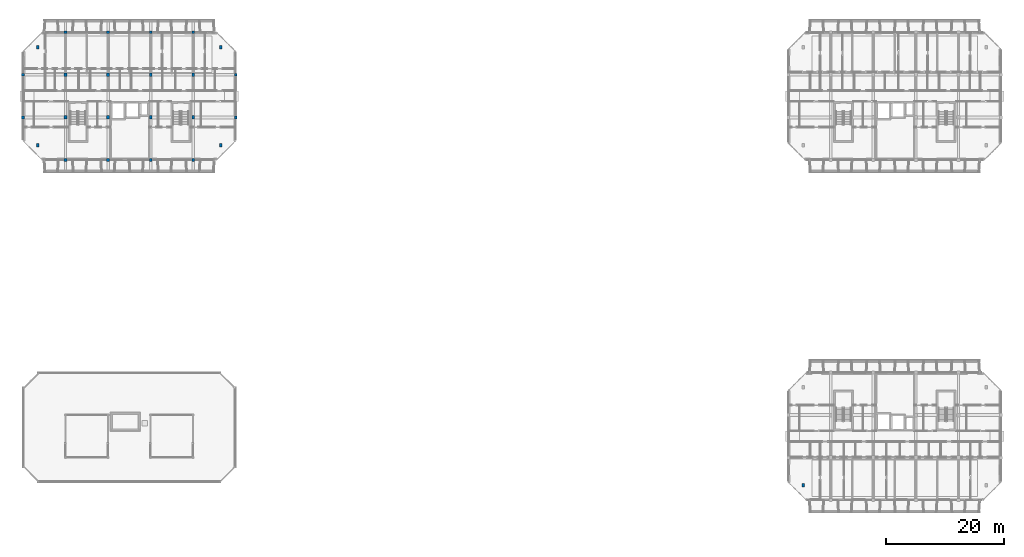
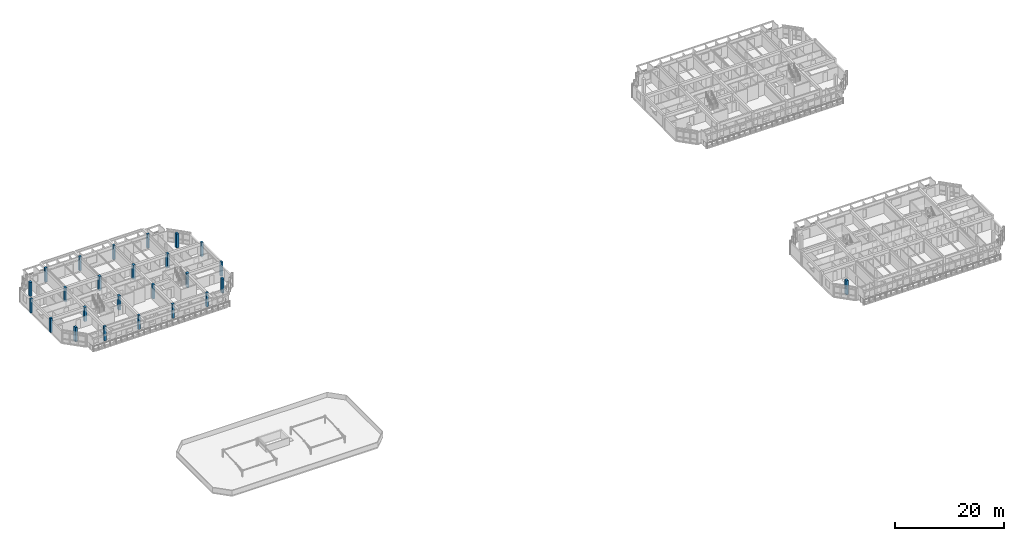
# One storey, part 5 of 43: 25 columns.
"""IFC4 building model written with IfcOpenShell, lengths in metres."""

import ifcopenshell
import ifcopenshell.guid

model = None  # the IFC model being written
_history = None  # IfcOwnerHistory: only IFC2X3 demands one
_inside = {}  # id of a spatial element -> (the spatial element, [elements in it])
_under = {}  # id of a project, library or spatial element -> (it, [spatial elements below it])
_declared = {}  # id of a project -> (the project, [libraries it declares])
_typed = {}  # id of a type object -> (the type object, [elements of that type])
_made_of = {}  # id of a material, layer set ... -> (it, [elements and type objects made of it])


def new_model(schema):
    """Start an empty IFC model of exactly this schema.

    Asked for "IFC4X3", IfcOpenShell would pick the latest addendum, in which some entities
    have other attributes; the version numbers below select the first issue.
    IFC2X3 requires an IfcOwnerHistory on every rooted entity: one is made here for all.
    """
    global model, _history
    if schema == "IFC4X3":
        model = ifcopenshell.file(schema_version=(4, 3, 0, 0))
    else:
        model = ifcopenshell.file(schema=schema)
    _inside.clear()
    _under.clear()
    _declared.clear()
    _typed.clear()
    _made_of.clear()
    _history = None
    if model.schema == "IFC2X3":
        org = make("IfcOrganization", Name="unknown")
        user = make(
            "IfcPersonAndOrganization",
            ThePerson=make("IfcPerson", FamilyName="unknown"),
            TheOrganization=org,
        )
        app = make(
            "IfcApplication",
            ApplicationDeveloper=org,
            Version="unknown",
            ApplicationFullName="unknown",
            ApplicationIdentifier="unknown",
        )
        _history = make(
            "IfcOwnerHistory",
            OwningUser=user,
            OwningApplication=app,
            ChangeAction="ADDED",
            CreationDate=0,
        )
    return model


def make(cls, **values):
    """One entity of the class cls with the attributes given. An attribute that is None is left unset."""
    return model.create_entity(
        cls, **{name: value for name, value in values.items() if value is not None}
    )


def rooted(cls, **values):
    """An entity with a GlobalId (a new one), such as an element, a storey or a relation."""
    return make(cls, GlobalId=ifcopenshell.guid.new(), OwnerHistory=_history, **values)


def si_unit(unit_type, name, prefix=None):
    """IfcSIUnit, for example si_unit("LENGTHUNIT", "METRE", prefix="MILLI")."""
    return make("IfcSIUnit", UnitType=unit_type, Prefix=prefix, Name=name)


def assignment(units):
    """IfcUnitAssignment: the units of a project."""
    return None if units is None else make("IfcUnitAssignment", Units=units)


def point(xyz):
    """IfcCartesianPoint."""
    return None if xyz is None else make("IfcCartesianPoint", Coordinates=xyz)


def direction(xyz):
    """IfcDirection."""
    return None if xyz is None else make("IfcDirection", DirectionRatios=xyz)


def frame(location, z_axis=None, x_axis=None):
    """IfcAxis2Placement3D, a coordinate frame: its origin and axes. An axis left out is left unset."""
    return make(
        "IfcAxis2Placement3D",
        Location=point(location),
        Axis=direction(z_axis),
        RefDirection=direction(x_axis),
    )


def frame_2d(location, x_axis=None):
    """IfcAxis2Placement2D, a coordinate frame in the plane: its origin and x axis."""
    return make(
        "IfcAxis2Placement2D", Location=point(location), RefDirection=direction(x_axis)
    )


def origin():
    """The frame at (0, 0, 0) with its axes left unset."""
    return frame((0.0, 0.0, 0.0))


def origin_2d():
    """The frame at (0, 0) in the plane with its x axis left unset."""
    return frame_2d((0.0, 0.0))


def place(relative_to, where):
    """IfcLocalPlacement: puts the frame where relative to a parent placement (None: the world)."""
    return make(
        "IfcLocalPlacement", PlacementRelTo=relative_to, RelativePlacement=where
    )


def context(
    kind, dimensions, precision=None, world=None, true_north=None, identifier=None
):
    """IfcGeometricRepresentationContext, for example the 3D "Model" context."""
    return make(
        "IfcGeometricRepresentationContext",
        ContextIdentifier=identifier,
        ContextType=kind,
        CoordinateSpaceDimension=dimensions,
        Precision=precision,
        WorldCoordinateSystem=world,
        TrueNorth=true_north,
    )


def subcontext(parent, identifier, kind, view, scale=None):
    """IfcGeometricRepresentationSubContext, for example "Body" below "Model"."""
    return make(
        "IfcGeometricRepresentationSubContext",
        ContextIdentifier=identifier,
        ContextType=kind,
        ParentContext=parent,
        TargetScale=scale,
        TargetView=view,
    )


def project(units=None, contexts=None):
    """IfcProject with its units and contexts."""
    return rooted(
        "IfcProject",
        Name="project",
        RepresentationContexts=contexts,
        UnitsInContext=assignment(units),
    )


def spatial(cls, under=None, at=None, **own):
    """A site, building, storey or space (cls), placed at a placement, below another one or the project."""
    s = rooted(cls, ObjectPlacement=at, **own)
    if under is not None:
        _under.setdefault(under.id(), (under, []))[1].append(s)
    return s


def profile(cls, at=None, kind="AREA", **sizes):
    """A parametric profile (cls). Its sizes go by their IFC names, for example OverallWidth=200.0."""
    return make(cls, ProfileType=kind, Position=at, **sizes)


def rectangle(**sizes):
    """IfcRectangleProfileDef."""
    return profile("IfcRectangleProfileDef", **sizes)


def extrude(swept, where, along, depth):
    """IfcExtrudedAreaSolid: the profile swept, set in the frame where, extruded along a direction by depth."""
    return make(
        "IfcExtrudedAreaSolid",
        SweptArea=swept,
        Position=where,
        ExtrudedDirection=direction(along),
        Depth=depth,
    )


def shape(context_of_items, identifier, shape_type, items):
    """IfcShapeRepresentation: the items that make up one representation, for example the "Body"."""
    return make(
        "IfcShapeRepresentation",
        ContextOfItems=context_of_items,
        RepresentationIdentifier=identifier,
        RepresentationType=shape_type,
        Items=items,
    )


def material(Name=None, Category=None):
    """IfcMaterial."""
    return make("IfcMaterial", Name=Name, Category=Category)


def material_profile(
    of_material, cross_section, Name=None, Category=None, Priority=None
):
    """IfcMaterialProfile: a cross section and its material."""
    return make(
        "IfcMaterialProfile",
        Name=Name,
        Material=of_material,
        Profile=cross_section,
        Priority=Priority,
        Category=Category,
    )


def profile_set(profiles, Name=None, composite=None):
    """IfcMaterialProfileSet."""
    return make(
        "IfcMaterialProfileSet",
        Name=Name,
        MaterialProfiles=profiles,
        CompositeProfile=composite,
    )


def made_of(thing, what):
    """Note that an element or type object is made of a material, layer set ...; save() writes the relation."""
    if what is not None:
        _made_of.setdefault(what.id(), (what, []))[1].append(thing)
    return thing


def type_object(cls, material=None, **own):
    """A type object (cls), such as IfcWallType, which elements share."""
    return made_of(rooted(cls, **own), material)


def element(
    cls,
    number,
    at=None,
    inside=None,
    cuts=None,
    type_object=None,
    material=None,
    context=None,
    identifier="Body",
    shape_type=None,
    held_by="IfcProductDefinitionShape",
    body=None,
    shapes=None,
    **own,
):
    """One element of the class cls, such as IfcWall. Its Tag is "e" and its number.

    at: its placement. inside: the storey or other place that contains it. cuts: it is an
    opening in that element (IfcRelVoidsElement). A single representation is given by context,
    identifier, shape_type and body (its items); several are given by shapes. held_by: the class
    of the entity that holds the representations. save() writes the other relations.
    """
    e = rooted(cls, Tag="e%d" % number, ObjectPlacement=at, **own)
    if body is not None:
        shapes = [shape(context, identifier, shape_type, body)]
    if shapes is not None:
        e.Representation = make(held_by, Representations=shapes)
    if inside is not None:
        _inside.setdefault(inside.id(), (inside, []))[1].append(e)
    if cuts is not None:
        rooted(
            "IfcRelVoidsElement", RelatingBuildingElement=cuts, RelatedOpeningElement=e
        )
    if type_object is not None:
        _typed.setdefault(type_object.id(), (type_object, []))[1].append(e)
    return made_of(e, material)


def aggregate(whole, parts):
    """IfcRelAggregates: a whole, such as a stair, and the parts it consists of."""
    return rooted("IfcRelAggregates", RelatingObject=whole, RelatedObjects=parts)


def save(model, path):
    """Write the relations noted so far, then the file.

    IfcRelAggregates (storeys below a building ...), IfcRelContainedInSpatialStructure (elements
    in a storey), IfcRelDefinesByType, IfcRelAssociatesMaterial and IfcRelDeclares: one each for
    every whole, place, type object, material and project.
    """
    for whole, parts in _under.values():
        aggregate(whole, parts)
    for where, things in _inside.values():
        rooted(
            "IfcRelContainedInSpatialStructure",
            RelatedElements=things,
            RelatingStructure=where,
        )
    for kind, things in _typed.values():
        rooted("IfcRelDefinesByType", RelatedObjects=things, RelatingType=kind)
    for what, things in _made_of.values():
        rooted("IfcRelAssociatesMaterial", RelatedObjects=things, RelatingMaterial=what)
    for by, libraries in _declared.values():
        rooted("IfcRelDeclares", RelatingContext=by, RelatedDefinitions=libraries)
    model.write(path)


model = new_model("IFC4")

# Units and contexts
model_context = context("Model", 3, precision=1e-05, world=origin(), true_north=direction((0.0, 1.0)))
body_context = subcontext(model_context, "Body", "Model", "MODEL_VIEW")
ifc_project = project(units=[si_unit("LENGTHUNIT", "METRE"), si_unit("AREAUNIT", "SQUARE_METRE"), si_unit("VOLUMEUNIT", "CUBIC_METRE"), si_unit("PLANEANGLEUNIT", "RADIAN"), si_unit("MASSUNIT", "GRAM", prefix="KILO")], contexts=[model_context])

# Site, building, storey
site_placement = place(None, origin())
site = spatial("IfcSite", under=ifc_project, at=site_placement, CompositionType="ELEMENT")
building_placement = place(site_placement, origin())
building = spatial("IfcBuilding", under=site, at=building_placement, Name="Ochrevale Crest", CompositionType="ELEMENT")
storey_placement = place(building_placement, frame((0.0, 0.0, 30.75)))
storey = spatial("IfcBuildingStorey", under=building, at=storey_placement, Name="L09", CompositionType="ELEMENT", Elevation=30.75)

# Columns
ifc_material_1 = material(Name="Precast concrete C40/50", Category="concrete")
ifc_material_profile_1 = material_profile(ifc_material_1, rectangle(XDim=0.449951171875, YDim=0.449951171875, at=origin_2d()), Name="RC 450x450")
ifc_profile_set_1 = profile_set([ifc_material_profile_1], Name="Precast concrete C40/50")
column_type_1 = type_object("IfcColumnType", Name="COL-RC450x450", PredefinedType="COLUMN", material=ifc_profile_set_1)
for number, where, z_axis, x_axis, name in (
    (1, (0.0, 79.199951171875, 0.0), (0.0, 0.0, 1.0), (1.0, 0.0, 0.0), "Block B L09 column (0.0,79.2)"),
    (2, (0.0, 86.39990234375, 0.0), (0.0, 0.0, 1.0), (1.0, 0.0, 0.0), "Block B L09 column (0.0,86.4)"),
    (3, (7.199951171875, 72.0, 0.0), (0.0, 0.0, 1.0), (1.0, 0.0, 0.0), "Block B L09 column (7.2,72.0)"),
    (4, (7.199951171875, 93.60009765625, 0.0), (0.0, 0.0, 1.0), (1.0, 0.0, 0.0), "Block B L09 column (7.2,93.6)"),
    (5, (14.39990234375, 72.0, 0.0), (0.0, 0.0, 1.0), (1.0, 0.0, 0.0), "Block B L09 column (14.4,72.0)"),
    (6, (14.39990234375, 93.60009765625, 0.0), (0.0, 0.0, 1.0), (1.0, 0.0, 0.0), "Block B L09 column (14.4,93.6)"),
    (7, (21.60009765625, 72.0, 0.0), (0.0, 0.0, 1.0), (1.0, 0.0, 0.0), "Block B L09 column (21.6,72.0)"),
    (8, (21.60009765625, 93.60009765625, 0.0), (0.0, 0.0, 1.0), (1.0, 0.0, 0.0), "Block B L09 column (21.6,93.6)"),
    (9, (28.800048828125, 72.0, 0.0), (0.0, 0.0, 1.0), (1.0, 0.0, 0.0), "Block B L09 column (28.8,72.0)"),
    (10, (28.800048828125, 93.60009765625, 0.0), (0.0, 0.0, 1.0), (1.0, 0.0, 0.0), "Block B L09 column (28.8,93.6)"),
    (11, (36.0, 79.199951171875, 0.0), (0.0, 0.0, 1.0), (1.0, 0.0, 0.0), "Block B L09 column (36.0,79.2)"),
    (12, (36.0, 86.39990234375, 0.0), (0.0, 0.0, 1.0), (1.0, 0.0, 0.0), "Block B L09 column (36.0,86.4)"),
):
    element("IfcColumn", number, at=place(storey_placement, frame(where, z_axis=z_axis, x_axis=x_axis)), inside=storey, type_object=column_type_1, Name=name, PredefinedType="COLUMN", context=body_context, shape_type="SweptSolid", body=[
        extrude(rectangle(XDim=0.449951171875, YDim=0.449951171875, at=origin_2d()), origin(), (0.0, 0.0, 1.0), 3.14990234375),
    ])
ifc_material_2 = material(Name="Precast concrete C50/60", Category="concrete")
ifc_material_profile_2 = material_profile(ifc_material_2, rectangle(XDim=0.449951171875, YDim=0.60009765625, at=origin_2d()), Name="RC 450x600")
ifc_profile_set_2 = profile_set([ifc_material_profile_2], Name="Precast concrete C50/60")
column_type_2 = type_object("IfcColumnType", Name="COL-RC450x600", PredefinedType="COLUMN", material=ifc_profile_set_2)
for number, where, z_axis, x_axis, name in (
    (13, (2.5, 74.5, 0.0), (0.0, 0.0, 1.0), (1.0, 0.0, 0.0), "Block B L09 column (2.5,74.5)"),
    (14, (2.5, 91.10009765625, 0.0), (0.0, 0.0, 1.0), (1.0, 0.0, 0.0), "Block B L09 column (2.5,91.1)"),
    (15, (7.199951171875, 79.199951171875, 0.0), (0.0, 0.0, 1.0), (1.0, 0.0, 0.0), "Block B L09 column (7.2,79.2)"),
    (16, (7.199951171875, 86.39990234375, 0.0), (0.0, 0.0, 1.0), (1.0, 0.0, 0.0), "Block B L09 column (7.2,86.4)"),
    (17, (14.39990234375, 79.199951171875, 0.0), (0.0, 0.0, 1.0), (1.0, 0.0, 0.0), "Block B L09 column (14.4,79.2)"),
    (18, (14.39990234375, 86.39990234375, 0.0), (0.0, 0.0, 1.0), (1.0, 0.0, 0.0), "Block B L09 column (14.4,86.4)"),
    (19, (21.60009765625, 79.199951171875, 0.0), (0.0, 0.0, 1.0), (1.0, 0.0, 0.0), "Block B L09 column (21.6,79.2)"),
    (20, (21.60009765625, 86.39990234375, 0.0), (0.0, 0.0, 1.0), (1.0, 0.0, 0.0), "Block B L09 column (21.6,86.4)"),
    (21, (28.800048828125, 79.199951171875, 0.0), (0.0, 0.0, 1.0), (1.0, 0.0, 0.0), "Block B L09 column (28.8,79.2)"),
    (22, (28.800048828125, 86.39990234375, 0.0), (0.0, 0.0, 1.0), (1.0, 0.0, 0.0), "Block B L09 column (28.8,86.4)"),
    (23, (33.5, 74.5, 0.0), (0.0, 0.0, 1.0), (1.0, 0.0, 0.0), "Block B L09 column (33.5,74.5)"),
    (24, (33.5, 91.10009765625, 0.0), (0.0, 0.0, 1.0), (1.0, 0.0, 0.0), "Block B L09 column (33.5,91.1)"),
    (25, (132.10009765625, 16.89990234375, 0.0), (0.0, 0.0, 1.0), (1.0, 0.0, 0.0), "Block C L09 column (132.1,16.9)"),
):
    element("IfcColumn", number, at=place(storey_placement, frame(where, z_axis=z_axis, x_axis=x_axis)), inside=storey, type_object=column_type_2, Name=name, PredefinedType="COLUMN", context=body_context, shape_type="SweptSolid", body=[
        extrude(rectangle(XDim=0.449951171875, YDim=0.60009765625, at=origin_2d()), origin(), (0.0, 0.0, 1.0), 3.14990234375),
    ])

save(model, "model.ifc")
